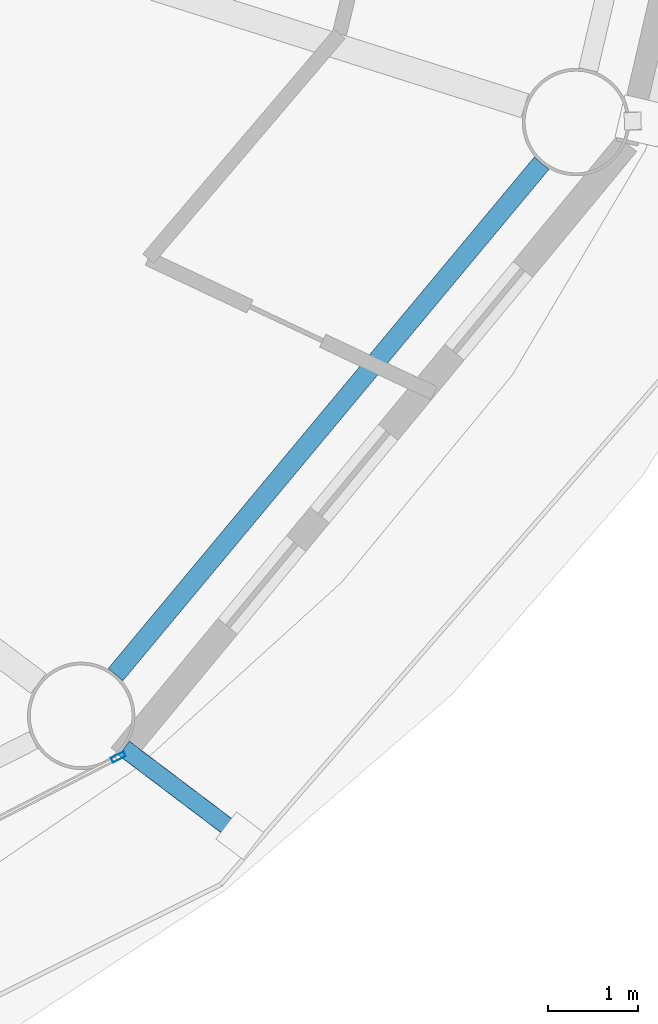
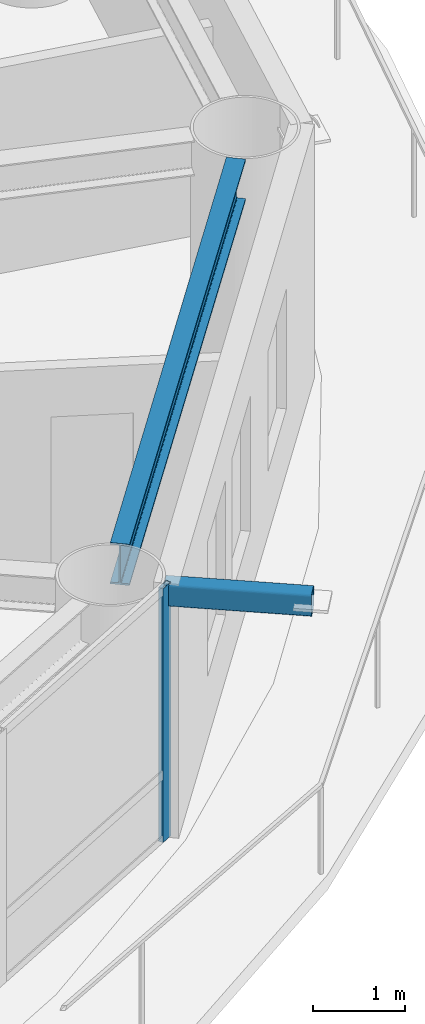
# One storey, part 7 of 27: 2 members, 1 beam, 1 element without a shape of its own.
"""IFC4 building model written with IfcOpenShell, lengths in metres."""

import ifcopenshell
import ifcopenshell.guid

model = None  # the IFC model being written
_history = None  # IfcOwnerHistory: only IFC2X3 demands one
_inside = {}  # id of a spatial element -> (the spatial element, [elements in it])
_under = {}  # id of a project, library or spatial element -> (it, [spatial elements below it])
_declared = {}  # id of a project -> (the project, [libraries it declares])
_typed = {}  # id of a type object -> (the type object, [elements of that type])
_made_of = {}  # id of a material, layer set ... -> (it, [elements and type objects made of it])


def new_model(schema):
    """Start an empty IFC model of exactly this schema.

    Asked for "IFC4X3", IfcOpenShell would pick the latest addendum, in which some entities
    have other attributes; the version numbers below select the first issue.
    IFC2X3 requires an IfcOwnerHistory on every rooted entity: one is made here for all.
    """
    global model, _history
    if schema == "IFC4X3":
        model = ifcopenshell.file(schema_version=(4, 3, 0, 0))
    else:
        model = ifcopenshell.file(schema=schema)
    _inside.clear()
    _under.clear()
    _declared.clear()
    _typed.clear()
    _made_of.clear()
    _history = None
    if model.schema == "IFC2X3":
        org = make("IfcOrganization", Name="unknown")
        user = make(
            "IfcPersonAndOrganization",
            ThePerson=make("IfcPerson", FamilyName="unknown"),
            TheOrganization=org,
        )
        app = make(
            "IfcApplication",
            ApplicationDeveloper=org,
            Version="unknown",
            ApplicationFullName="unknown",
            ApplicationIdentifier="unknown",
        )
        _history = make(
            "IfcOwnerHistory",
            OwningUser=user,
            OwningApplication=app,
            ChangeAction="ADDED",
            CreationDate=0,
        )
    return model


def make(cls, **values):
    """One entity of the class cls with the attributes given. An attribute that is None is left unset."""
    return model.create_entity(
        cls, **{name: value for name, value in values.items() if value is not None}
    )


def rooted(cls, **values):
    """An entity with a GlobalId (a new one), such as an element, a storey or a relation."""
    return make(cls, GlobalId=ifcopenshell.guid.new(), OwnerHistory=_history, **values)


def si_unit(unit_type, name, prefix=None):
    """IfcSIUnit, for example si_unit("LENGTHUNIT", "METRE", prefix="MILLI")."""
    return make("IfcSIUnit", UnitType=unit_type, Prefix=prefix, Name=name)


def assignment(units):
    """IfcUnitAssignment: the units of a project."""
    return None if units is None else make("IfcUnitAssignment", Units=units)


def point(xyz):
    """IfcCartesianPoint."""
    return None if xyz is None else make("IfcCartesianPoint", Coordinates=xyz)


def direction(xyz):
    """IfcDirection."""
    return None if xyz is None else make("IfcDirection", DirectionRatios=xyz)


def frame(location, z_axis=None, x_axis=None):
    """IfcAxis2Placement3D, a coordinate frame: its origin and axes. An axis left out is left unset."""
    return make(
        "IfcAxis2Placement3D",
        Location=point(location),
        Axis=direction(z_axis),
        RefDirection=direction(x_axis),
    )


def frame_2d(location, x_axis=None):
    """IfcAxis2Placement2D, a coordinate frame in the plane: its origin and x axis."""
    return make(
        "IfcAxis2Placement2D", Location=point(location), RefDirection=direction(x_axis)
    )


def origin():
    """The frame at (0, 0, 0) with its axes left unset."""
    return frame((0.0, 0.0, 0.0))


def origin_2d():
    """The frame at (0, 0) in the plane with its x axis left unset."""
    return frame_2d((0.0, 0.0))


def place(relative_to, where):
    """IfcLocalPlacement: puts the frame where relative to a parent placement (None: the world)."""
    return make(
        "IfcLocalPlacement", PlacementRelTo=relative_to, RelativePlacement=where
    )


def context(
    kind, dimensions, precision=None, world=None, true_north=None, identifier=None
):
    """IfcGeometricRepresentationContext, for example the 3D "Model" context."""
    return make(
        "IfcGeometricRepresentationContext",
        ContextIdentifier=identifier,
        ContextType=kind,
        CoordinateSpaceDimension=dimensions,
        Precision=precision,
        WorldCoordinateSystem=world,
        TrueNorth=true_north,
    )


def subcontext(parent, identifier, kind, view, scale=None):
    """IfcGeometricRepresentationSubContext, for example "Body" below "Model"."""
    return make(
        "IfcGeometricRepresentationSubContext",
        ContextIdentifier=identifier,
        ContextType=kind,
        ParentContext=parent,
        TargetScale=scale,
        TargetView=view,
    )


def project(units=None, contexts=None):
    """IfcProject with its units and contexts."""
    return rooted(
        "IfcProject",
        Name="project",
        RepresentationContexts=contexts,
        UnitsInContext=assignment(units),
    )


def spatial(cls, under=None, at=None, **own):
    """A site, building, storey or space (cls), placed at a placement, below another one or the project."""
    s = rooted(cls, ObjectPlacement=at, **own)
    if under is not None:
        _under.setdefault(under.id(), (under, []))[1].append(s)
    return s


def profile(cls, at=None, kind="AREA", **sizes):
    """A parametric profile (cls). Its sizes go by their IFC names, for example OverallWidth=200.0."""
    return make(cls, ProfileType=kind, Position=at, **sizes)


def hollow_rectangle(**sizes):
    """IfcRectangleHollowProfileDef."""
    return profile("IfcRectangleHollowProfileDef", **sizes)


def i_section(**sizes):
    """IfcIShapeProfileDef."""
    return profile("IfcIShapeProfileDef", **sizes)


def extrude(swept, where, along, depth):
    """IfcExtrudedAreaSolid: the profile swept, set in the frame where, extruded along a direction by depth."""
    return make(
        "IfcExtrudedAreaSolid",
        SweptArea=swept,
        Position=where,
        ExtrudedDirection=direction(along),
        Depth=depth,
    )


def shape(context_of_items, identifier, shape_type, items):
    """IfcShapeRepresentation: the items that make up one representation, for example the "Body"."""
    return make(
        "IfcShapeRepresentation",
        ContextOfItems=context_of_items,
        RepresentationIdentifier=identifier,
        RepresentationType=shape_type,
        Items=items,
    )


def material(Name=None, Category=None):
    """IfcMaterial."""
    return make("IfcMaterial", Name=Name, Category=Category)


def layer(
    of_material, thickness, ventilated=None, Name=None, Category=None, Priority=None
):
    """IfcMaterialLayer: one layer of a wall or slab, of a material (None: an air gap)."""
    return make(
        "IfcMaterialLayer",
        Material=of_material,
        LayerThickness=thickness,
        IsVentilated=ventilated,
        Name=Name,
        Category=Category,
        Priority=Priority,
    )


def layer_set(layers, Name=None):
    """IfcMaterialLayerSet."""
    return make("IfcMaterialLayerSet", MaterialLayers=layers, LayerSetName=Name)


def material_profile(
    of_material, cross_section, Name=None, Category=None, Priority=None
):
    """IfcMaterialProfile: a cross section and its material."""
    return make(
        "IfcMaterialProfile",
        Name=Name,
        Material=of_material,
        Profile=cross_section,
        Priority=Priority,
        Category=Category,
    )


def profile_set(profiles, Name=None, composite=None):
    """IfcMaterialProfileSet."""
    return make(
        "IfcMaterialProfileSet",
        Name=Name,
        MaterialProfiles=profiles,
        CompositeProfile=composite,
    )


def made_of(thing, what):
    """Note that an element or type object is made of a material, layer set ...; save() writes the relation."""
    if what is not None:
        _made_of.setdefault(what.id(), (what, []))[1].append(thing)
    return thing


def type_object(cls, material=None, **own):
    """A type object (cls), such as IfcWallType, which elements share."""
    return made_of(rooted(cls, **own), material)


def element(
    cls,
    number,
    at=None,
    inside=None,
    cuts=None,
    type_object=None,
    material=None,
    context=None,
    identifier="Body",
    shape_type=None,
    held_by="IfcProductDefinitionShape",
    body=None,
    shapes=None,
    **own,
):
    """One element of the class cls, such as IfcWall. Its Tag is "e" and its number.

    at: its placement. inside: the storey or other place that contains it. cuts: it is an
    opening in that element (IfcRelVoidsElement). A single representation is given by context,
    identifier, shape_type and body (its items); several are given by shapes. held_by: the class
    of the entity that holds the representations. save() writes the other relations.
    """
    e = rooted(cls, Tag="e%d" % number, ObjectPlacement=at, **own)
    if body is not None:
        shapes = [shape(context, identifier, shape_type, body)]
    if shapes is not None:
        e.Representation = make(held_by, Representations=shapes)
    if inside is not None:
        _inside.setdefault(inside.id(), (inside, []))[1].append(e)
    if cuts is not None:
        rooted(
            "IfcRelVoidsElement", RelatingBuildingElement=cuts, RelatedOpeningElement=e
        )
    if type_object is not None:
        _typed.setdefault(type_object.id(), (type_object, []))[1].append(e)
    return made_of(e, material)


def aggregate(whole, parts):
    """IfcRelAggregates: a whole, such as a stair, and the parts it consists of."""
    return rooted("IfcRelAggregates", RelatingObject=whole, RelatedObjects=parts)


def save(model, path):
    """Write the relations noted so far, then the file.

    IfcRelAggregates (storeys below a building ...), IfcRelContainedInSpatialStructure (elements
    in a storey), IfcRelDefinesByType, IfcRelAssociatesMaterial and IfcRelDeclares: one each for
    every whole, place, type object, material and project.
    """
    for whole, parts in _under.values():
        aggregate(whole, parts)
    for where, things in _inside.values():
        rooted(
            "IfcRelContainedInSpatialStructure",
            RelatedElements=things,
            RelatingStructure=where,
        )
    for kind, things in _typed.values():
        rooted("IfcRelDefinesByType", RelatedObjects=things, RelatingType=kind)
    for what, things in _made_of.values():
        rooted("IfcRelAssociatesMaterial", RelatedObjects=things, RelatingMaterial=what)
    for by, libraries in _declared.values():
        rooted("IfcRelDeclares", RelatingContext=by, RelatedDefinitions=libraries)
    model.write(path)


model = new_model("IFC4")

# Units and contexts
model_context = context("Model", 3, precision=1e-05, world=origin(), true_north=direction((0.0, 1.0)))
body_context = subcontext(model_context, "Body", "Model", "MODEL_VIEW")
ifc_project = project(units=[si_unit("LENGTHUNIT", "METRE"), si_unit("AREAUNIT", "SQUARE_METRE"), si_unit("VOLUMEUNIT", "CUBIC_METRE"), si_unit("PLANEANGLEUNIT", "RADIAN"), si_unit("MASSUNIT", "GRAM", prefix="KILO")], contexts=[model_context])

# Site, building, storey
site_placement = place(None, origin())
site = spatial("IfcSite", under=ifc_project, at=site_placement, CompositionType="ELEMENT")
building_placement = place(site_placement, origin())
building = spatial("IfcBuilding", under=site, at=building_placement, Name="Sarneth Arch Tower", CompositionType="ELEMENT")
storey_placement = place(building_placement, frame((0.0, 0.0, 186.60009765625)))
storey = spatial("IfcBuildingStorey", under=building, at=storey_placement, Name="L47", CompositionType="ELEMENT", Elevation=186.60009765625)

# Beam
ifc_material_1 = material(Name="Steel S355", Category="steel")
ifc_material_profile_1 = material_profile(ifc_material_1, i_section(OverallWidth=0.214111328125, OverallDepth=0.549072265625, WebThickness=0.0146484375, FlangeThickness=0.023681640625, FilletRadius=0.01806640625, at=origin_2d()), Name="W530x138")
ifc_profile_set_1 = profile_set([ifc_material_profile_1], Name="Steel S355")
beam_type = type_object("IfcBeamType", Name="BM-RAD-530A", PredefinedType="BEAM", material=ifc_profile_set_1)
beam_placement = place(storey_placement, frame((67.517822265625, 28.00048828125, 3.10546875), z_axis=(0.640161793626, 0.768240117399, 0.0), x_axis=(-0.768240117399, 0.640161793626, 0.0)))
element("IfcBeam", 1, at=beam_placement, inside=storey, type_object=beam_type, Name="L47 Perimeter spandrel beam 15", PredefinedType="BEAM", context=body_context, shape_type="SweptSolid", body=[
    extrude(i_section(OverallWidth=0.214111328125, OverallDepth=0.549072265625, WebThickness=0.0146484375, FlangeThickness=0.023681640625, FilletRadius=0.01806640625, at=origin_2d()), origin(), (0.0, 0.0, 1.0), 7.43603515625),
])

# Curtain wall, member
ifc_material_2 = material(Name="Anodised aluminium Type AA25 and solar-control low-e laminated IGU", Category="aluminium")
ifc_layer = layer(ifc_material_2, 0.169921875)
ifc_layer_set = layer_set([ifc_layer], Name="Anodised aluminium Type AA25 and solar-control low-e laminated IGU")
curtain_wall_type = type_object("IfcCurtainWallType", Name="CW-RES-MID", PredefinedType="NOTDEFINED", material=ifc_layer_set)
curtain_wall_placement = place(storey_placement, origin())
curtain_wall = element("IfcCurtainWall", 2, at=curtain_wall_placement, inside=storey, type_object=curtain_wall_type, Name="L47 Unitised curtain wall facet 14", PredefinedType="NOTDEFINED")
ifc_material_3 = material(Name="Anodised Aluminium 6063-T6", Category="aluminium")
ifc_material_profile_2 = material_profile(ifc_material_3, hollow_rectangle(XDim=0.06005859375, YDim=0.159912109375, WallThickness=0.00390625, at=origin_2d()), Name="AL-MULL-160x60x4")
ifc_profile_set_2 = profile_set([ifc_material_profile_2], Name="Anodised Aluminium 6063-T6")
member_type_1 = type_object("IfcMemberType", Name="CW-MULLION", PredefinedType="MULLION", material=ifc_profile_set_2)
member_1_placement = place(storey_placement, frame((67.549560546875, 27.08056640625, 0.0), z_axis=(0.0, 0.0, 1.0), x_axis=(-0.456208470329, 0.88987293003, 0.0)))
member_1 = element("IfcMember", 3, at=member_1_placement, type_object=member_type_1, Name="CW-SYS-5 mullion 4", PredefinedType="MULLION", context=body_context, shape_type="SweptSolid", body=[
    extrude(hollow_rectangle(XDim=0.06005859375, YDim=0.159912109375, WallThickness=0.00390625, at=origin_2d()), origin(), (0.0, 0.0, 1.0), 3.3798828125),
])
aggregate(curtain_wall, [member_1])

# Member
ifc_material_4 = material(Name="Steel S355", Category="steel")
ifc_material_profile_3 = material_profile(ifc_material_4, hollow_rectangle(XDim=0.199951171875, YDim=0.300048828125, WallThickness=0.012451171875, InnerFilletRadius=0.018798828125, OuterFilletRadius=0.03125, at=origin_2d()), Name="RHS300x200x12.5")
ifc_profile_set_3 = profile_set([ifc_material_profile_3], Name="Steel S355")
member_type_2 = type_object("IfcMemberType", Name="MEM-CANT-STRUT", PredefinedType="STRUT", material=ifc_profile_set_3)
member_2_placement = place(storey_placement, frame((67.612548828125, 27.177978515625, 3.219970703125), z_axis=(0.797735309656, -0.603007774186, 0.0), x_axis=(0.603007774186, 0.797735309656, 0.0)))
element("IfcMember", 4, at=member_2_placement, inside=storey, type_object=member_type_2, Name="L47 Balcony cantilever bracket 15", PredefinedType="STRUT", context=body_context, shape_type="SweptSolid", body=[
    extrude(hollow_rectangle(XDim=0.199951171875, YDim=0.300048828125, WallThickness=0.012451171875, InnerFilletRadius=0.018798828125, OuterFilletRadius=0.03125, at=origin_2d()), origin(), (0.0, 0.0, 1.0), 1.62109375),
])

save(model, "model.ifc")
